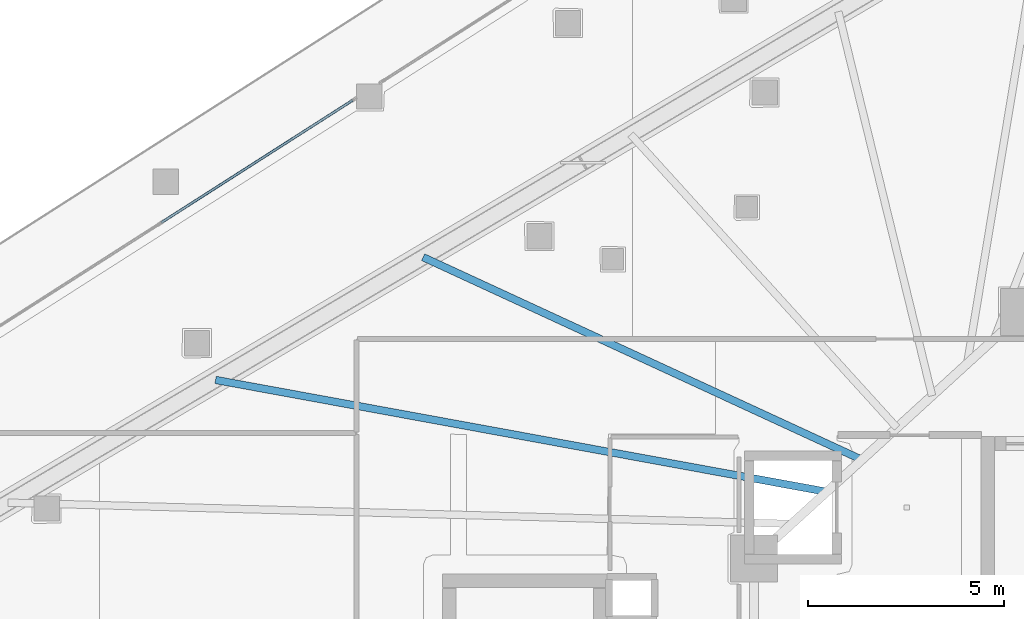
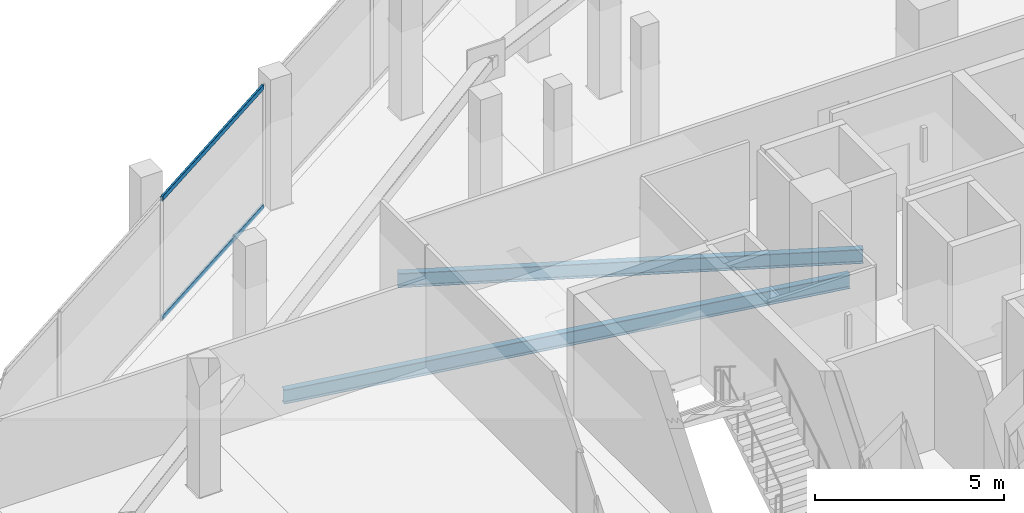
# One storey, part 15 of 45: 2 beams, 2 members, 1 element without a shape of its own.
"""IFC4 building model written with IfcOpenShell, lengths in metres."""

from ifc_helpers import new_model, si_unit, direction, frame, origin, origin_2d, place, context, subcontext, project, spatial, hollow_rectangle, i_section, extrude, material, layer, layer_set, material_profile, profile_set, type_object, element, aggregate, save


model = new_model("IFC4")

# Units and contexts
model_context = context("Model", 3, precision=1e-05, world=origin(), true_north=direction((0.0, 1.0)))
body_context = subcontext(model_context, "Body", "Model", "MODEL_VIEW")
ifc_project = project(units=[si_unit("LENGTHUNIT", "METRE"), si_unit("AREAUNIT", "SQUARE_METRE"), si_unit("VOLUMEUNIT", "CUBIC_METRE"), si_unit("PLANEANGLEUNIT", "RADIAN"), si_unit("MASSUNIT", "GRAM", prefix="KILO")], contexts=[model_context])

# Site, building, storey
site_placement = place(None, origin())
site = spatial("IfcSite", under=ifc_project, at=site_placement, CompositionType="ELEMENT")
building_placement = place(site_placement, origin())
building = spatial("IfcBuilding", under=site, at=building_placement, Name="Qorvath Tower", CompositionType="ELEMENT")
storey_placement = place(building_placement, frame((0.0, 0.0, 49.199951171875)))
storey = spatial("IfcBuildingStorey", under=building, at=storey_placement, Name="L10", CompositionType="ELEMENT", Elevation=49.199951171875)

# Beams
ifc_material_1 = material(Name="Steel ASTM A992 Grade 50", Category="steel")
ifc_material_profile_1 = material_profile(ifc_material_1, i_section(OverallWidth=0.18994140625, OverallDepth=0.45703125, WebThickness=0.009033203125, FlangeThickness=0.014404296875, FilletRadius=0.011962890625, at=origin_2d()), Name="W18x50")
ifc_profile_set_1 = profile_set([ifc_material_profile_1], Name="Steel ASTM A992 Grade 50")
beam_type = type_object("IfcBeamType", Name="BM-FJ2", PredefinedType="JOIST", material=ifc_profile_set_1)
beam_1_placement = place(storey_placement, frame((-28.636962890625, 6.85107421875, -0.508544921875), z_axis=(-0.983656498786, 0.180055248176, 0.0), x_axis=(-0.180055248176, -0.983656498786, 0.0)))
element("IfcBeam", 1, at=beam_1_placement, inside=storey, type_object=beam_type, Name="Composite Floor Joist NW2 L10", PredefinedType="JOIST", context=body_context, shape_type="SweptSolid", body=[
    extrude(i_section(OverallWidth=0.18994140625, OverallDepth=0.45703125, WebThickness=0.009033203125, FlangeThickness=0.014404296875, FilletRadius=0.011962890625, at=origin_2d()), origin(), (0.0, 0.0, 1.0), 15.884521484375),
])
beam_2_placement = place(storey_placement, frame((-27.739990234375, 7.669921875, -0.508544921875), z_axis=(-0.907881281747, 0.419227358665, 0.0), x_axis=(-0.419227358665, -0.907881281747, 0.0)))
element("IfcBeam", 2, at=beam_2_placement, inside=storey, type_object=beam_type, Name="Composite Floor Joist NW3 L10", PredefinedType="JOIST", context=body_context, shape_type="SweptSolid", body=[
    extrude(i_section(OverallWidth=0.18994140625, OverallDepth=0.45703125, WebThickness=0.009033203125, FlangeThickness=0.014404296875, FilletRadius=0.011962890625, at=origin_2d()), origin(), (0.0, 0.0, 1.0), 12.353515625),
])

# Curtain wall, members
ifc_material_2 = material(Name="Anodised aluminium and triple low-E glass", Category="aluminium")
ifc_layer = layer(ifc_material_2, 0.179931640625)
ifc_layer_set = layer_set([ifc_layer], Name="CW-SYS-2")
curtain_wall_type = type_object("IfcCurtainWallType", Name="CW-SYS-2", PredefinedType="NOTDEFINED", material=ifc_layer_set)
curtain_wall_placement = place(storey_placement, origin())
curtain_wall = element("IfcCurtainWall", 3, at=curtain_wall_placement, inside=storey, type_object=curtain_wall_type, Name="Curtain Wall CW-2 CW-T-L10-16.3", PredefinedType="NOTDEFINED")
ifc_material_3 = material(Name="Anodised aluminium 6063-T6", Category="aluminium")
ifc_material_profile_2 = material_profile(ifc_material_3, hollow_rectangle(XDim=0.06494140625, YDim=0.159912109375, WallThickness=0.00341796875, InnerFilletRadius=0.00341796875, OuterFilletRadius=0.007080078125, at=origin_2d()), Name="CWT 160x65")
ifc_profile_set_2 = profile_set([ifc_material_profile_2], Name="Anodised aluminium 6063-T6")
member_type = type_object("IfcMemberType", Name="CWT-160", PredefinedType="USERDEFINED", material=ifc_profile_set_2)
member_1_placement = place(storey_placement, frame((-40.757080078125, 16.85888671875, 0.032470703125), z_axis=(-0.842607225398, -0.538528609925, 0.0), x_axis=(0.538528609925, -0.842607225398, 0.0)))
member_1 = element("IfcMember", 4, at=member_1_placement, type_object=member_type, Name="CW-2 transom 1.1", ObjectType="TRANSOM", PredefinedType="USERDEFINED", context=body_context, shape_type="SweptSolid", body=[
    extrude(hollow_rectangle(XDim=0.06494140625, YDim=0.159912109375, WallThickness=0.00341796875, InnerFilletRadius=0.00341796875, OuterFilletRadius=0.007080078125, at=origin_2d()), origin(), (0.0, 0.0, 1.0), 5.806396484375),
])
member_2_placement = place(storey_placement, frame((-40.757080078125, 16.85888671875, 3.8876953125), z_axis=(-0.842607225398, -0.538528609925, 0.0), x_axis=(0.538528609925, -0.842607225398, 0.0)))
member_2 = element("IfcMember", 5, at=member_2_placement, type_object=member_type, Name="CW-2 transom 1.2", ObjectType="TRANSOM", PredefinedType="USERDEFINED", context=body_context, shape_type="SweptSolid", body=[
    extrude(hollow_rectangle(XDim=0.06494140625, YDim=0.159912109375, WallThickness=0.00341796875, InnerFilletRadius=0.00341796875, OuterFilletRadius=0.007080078125, at=origin_2d()), origin(), (0.0, 0.0, 1.0), 5.806396484375),
])
aggregate(curtain_wall, [member_1, member_2])

save(model, "model.ifc")
